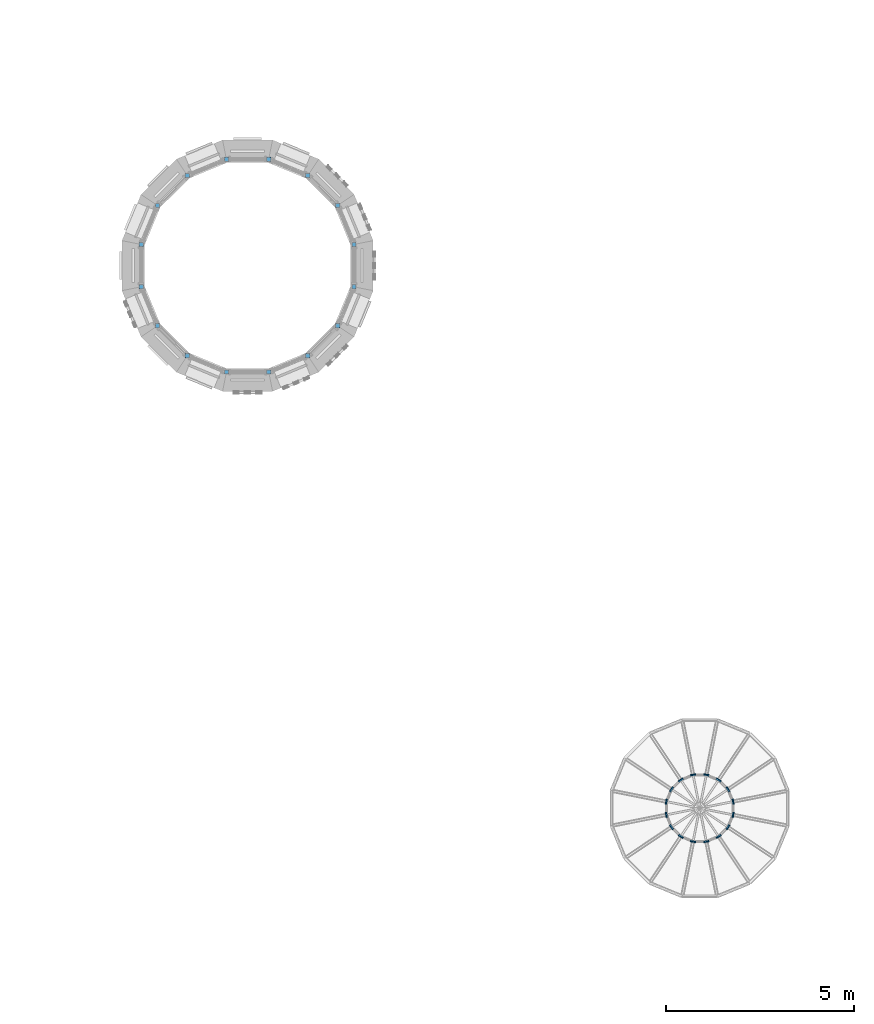
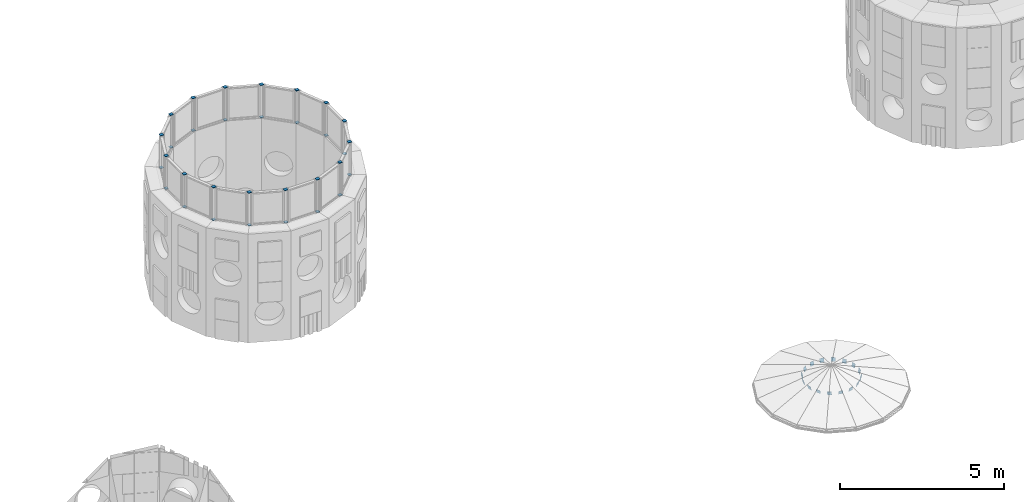
# One storey, part 32 of 42: 48 discrete accessories.
"""IFC4 building model written with IfcOpenShell, lengths in metres."""

import ifcopenshell
import ifcopenshell.guid

model = None  # the IFC model being written
_history = None  # IfcOwnerHistory: only IFC2X3 demands one
_inside = {}  # id of a spatial element -> (the spatial element, [elements in it])
_under = {}  # id of a project, library or spatial element -> (it, [spatial elements below it])
_declared = {}  # id of a project -> (the project, [libraries it declares])
_typed = {}  # id of a type object -> (the type object, [elements of that type])
_made_of = {}  # id of a material, layer set ... -> (it, [elements and type objects made of it])


def new_model(schema):
    """Start an empty IFC model of exactly this schema.

    Asked for "IFC4X3", IfcOpenShell would pick the latest addendum, in which some entities
    have other attributes; the version numbers below select the first issue.
    IFC2X3 requires an IfcOwnerHistory on every rooted entity: one is made here for all.
    """
    global model, _history
    if schema == "IFC4X3":
        model = ifcopenshell.file(schema_version=(4, 3, 0, 0))
    else:
        model = ifcopenshell.file(schema=schema)
    _inside.clear()
    _under.clear()
    _declared.clear()
    _typed.clear()
    _made_of.clear()
    _history = None
    if model.schema == "IFC2X3":
        org = make("IfcOrganization", Name="unknown")
        user = make(
            "IfcPersonAndOrganization",
            ThePerson=make("IfcPerson", FamilyName="unknown"),
            TheOrganization=org,
        )
        app = make(
            "IfcApplication",
            ApplicationDeveloper=org,
            Version="unknown",
            ApplicationFullName="unknown",
            ApplicationIdentifier="unknown",
        )
        _history = make(
            "IfcOwnerHistory",
            OwningUser=user,
            OwningApplication=app,
            ChangeAction="ADDED",
            CreationDate=0,
        )
    return model


def make(cls, **values):
    """One entity of the class cls with the attributes given. An attribute that is None is left unset."""
    return model.create_entity(
        cls, **{name: value for name, value in values.items() if value is not None}
    )


def rooted(cls, **values):
    """An entity with a GlobalId (a new one), such as an element, a storey or a relation."""
    return make(cls, GlobalId=ifcopenshell.guid.new(), OwnerHistory=_history, **values)


def si_unit(unit_type, name, prefix=None):
    """IfcSIUnit, for example si_unit("LENGTHUNIT", "METRE", prefix="MILLI")."""
    return make("IfcSIUnit", UnitType=unit_type, Prefix=prefix, Name=name)


def assignment(units):
    """IfcUnitAssignment: the units of a project."""
    return None if units is None else make("IfcUnitAssignment", Units=units)


def point(xyz):
    """IfcCartesianPoint."""
    return None if xyz is None else make("IfcCartesianPoint", Coordinates=xyz)


def direction(xyz):
    """IfcDirection."""
    return None if xyz is None else make("IfcDirection", DirectionRatios=xyz)


def frame(location, z_axis=None, x_axis=None):
    """IfcAxis2Placement3D, a coordinate frame: its origin and axes. An axis left out is left unset."""
    return make(
        "IfcAxis2Placement3D",
        Location=point(location),
        Axis=direction(z_axis),
        RefDirection=direction(x_axis),
    )


def frame_2d(location, x_axis=None):
    """IfcAxis2Placement2D, a coordinate frame in the plane: its origin and x axis."""
    return make(
        "IfcAxis2Placement2D", Location=point(location), RefDirection=direction(x_axis)
    )


def origin():
    """The frame at (0, 0, 0) with its axes left unset."""
    return frame((0.0, 0.0, 0.0))


def origin_2d():
    """The frame at (0, 0) in the plane with its x axis left unset."""
    return frame_2d((0.0, 0.0))


def place(relative_to, where):
    """IfcLocalPlacement: puts the frame where relative to a parent placement (None: the world)."""
    return make(
        "IfcLocalPlacement", PlacementRelTo=relative_to, RelativePlacement=where
    )


def context(
    kind, dimensions, precision=None, world=None, true_north=None, identifier=None
):
    """IfcGeometricRepresentationContext, for example the 3D "Model" context."""
    return make(
        "IfcGeometricRepresentationContext",
        ContextIdentifier=identifier,
        ContextType=kind,
        CoordinateSpaceDimension=dimensions,
        Precision=precision,
        WorldCoordinateSystem=world,
        TrueNorth=true_north,
    )


def subcontext(parent, identifier, kind, view, scale=None):
    """IfcGeometricRepresentationSubContext, for example "Body" below "Model"."""
    return make(
        "IfcGeometricRepresentationSubContext",
        ContextIdentifier=identifier,
        ContextType=kind,
        ParentContext=parent,
        TargetScale=scale,
        TargetView=view,
    )


def project(units=None, contexts=None):
    """IfcProject with its units and contexts."""
    return rooted(
        "IfcProject",
        Name="project",
        RepresentationContexts=contexts,
        UnitsInContext=assignment(units),
    )


def spatial(cls, under=None, at=None, **own):
    """A site, building, storey or space (cls), placed at a placement, below another one or the project."""
    s = rooted(cls, ObjectPlacement=at, **own)
    if under is not None:
        _under.setdefault(under.id(), (under, []))[1].append(s)
    return s


def profile(cls, at=None, kind="AREA", **sizes):
    """A parametric profile (cls). Its sizes go by their IFC names, for example OverallWidth=200.0."""
    return make(cls, ProfileType=kind, Position=at, **sizes)


def rectangle(**sizes):
    """IfcRectangleProfileDef."""
    return profile("IfcRectangleProfileDef", **sizes)


def extrude(swept, where, along, depth):
    """IfcExtrudedAreaSolid: the profile swept, set in the frame where, extruded along a direction by depth."""
    return make(
        "IfcExtrudedAreaSolid",
        SweptArea=swept,
        Position=where,
        ExtrudedDirection=direction(along),
        Depth=depth,
    )


def shape(context_of_items, identifier, shape_type, items):
    """IfcShapeRepresentation: the items that make up one representation, for example the "Body"."""
    return make(
        "IfcShapeRepresentation",
        ContextOfItems=context_of_items,
        RepresentationIdentifier=identifier,
        RepresentationType=shape_type,
        Items=items,
    )


def material(Name=None, Category=None):
    """IfcMaterial."""
    return make("IfcMaterial", Name=Name, Category=Category)


def material_profile(
    of_material, cross_section, Name=None, Category=None, Priority=None
):
    """IfcMaterialProfile: a cross section and its material."""
    return make(
        "IfcMaterialProfile",
        Name=Name,
        Material=of_material,
        Profile=cross_section,
        Priority=Priority,
        Category=Category,
    )


def profile_set(profiles, Name=None, composite=None):
    """IfcMaterialProfileSet."""
    return make(
        "IfcMaterialProfileSet",
        Name=Name,
        MaterialProfiles=profiles,
        CompositeProfile=composite,
    )


def made_of(thing, what):
    """Note that an element or type object is made of a material, layer set ...; save() writes the relation."""
    if what is not None:
        _made_of.setdefault(what.id(), (what, []))[1].append(thing)
    return thing


def type_object(cls, material=None, **own):
    """A type object (cls), such as IfcWallType, which elements share."""
    return made_of(rooted(cls, **own), material)


def element(
    cls,
    number,
    at=None,
    inside=None,
    cuts=None,
    type_object=None,
    material=None,
    context=None,
    identifier="Body",
    shape_type=None,
    held_by="IfcProductDefinitionShape",
    body=None,
    shapes=None,
    **own,
):
    """One element of the class cls, such as IfcWall. Its Tag is "e" and its number.

    at: its placement. inside: the storey or other place that contains it. cuts: it is an
    opening in that element (IfcRelVoidsElement). A single representation is given by context,
    identifier, shape_type and body (its items); several are given by shapes. held_by: the class
    of the entity that holds the representations. save() writes the other relations.
    """
    e = rooted(cls, Tag="e%d" % number, ObjectPlacement=at, **own)
    if body is not None:
        shapes = [shape(context, identifier, shape_type, body)]
    if shapes is not None:
        e.Representation = make(held_by, Representations=shapes)
    if inside is not None:
        _inside.setdefault(inside.id(), (inside, []))[1].append(e)
    if cuts is not None:
        rooted(
            "IfcRelVoidsElement", RelatingBuildingElement=cuts, RelatedOpeningElement=e
        )
    if type_object is not None:
        _typed.setdefault(type_object.id(), (type_object, []))[1].append(e)
    return made_of(e, material)


def aggregate(whole, parts):
    """IfcRelAggregates: a whole, such as a stair, and the parts it consists of."""
    return rooted("IfcRelAggregates", RelatingObject=whole, RelatedObjects=parts)


def save(model, path):
    """Write the relations noted so far, then the file.

    IfcRelAggregates (storeys below a building ...), IfcRelContainedInSpatialStructure (elements
    in a storey), IfcRelDefinesByType, IfcRelAssociatesMaterial and IfcRelDeclares: one each for
    every whole, place, type object, material and project.
    """
    for whole, parts in _under.values():
        aggregate(whole, parts)
    for where, things in _inside.values():
        rooted(
            "IfcRelContainedInSpatialStructure",
            RelatedElements=things,
            RelatingStructure=where,
        )
    for kind, things in _typed.values():
        rooted("IfcRelDefinesByType", RelatedObjects=things, RelatingType=kind)
    for what, things in _made_of.values():
        rooted("IfcRelAssociatesMaterial", RelatedObjects=things, RelatingMaterial=what)
    for by, libraries in _declared.values():
        rooted("IfcRelDeclares", RelatingContext=by, RelatedDefinitions=libraries)
    model.write(path)


model = new_model("IFC4")

# Units and contexts
model_context = context("Model", 3, precision=1e-05, world=origin(), true_north=direction((0.0, 1.0)))
body_context = subcontext(model_context, "Body", "Model", "MODEL_VIEW")
ifc_project = project(units=[si_unit("LENGTHUNIT", "METRE"), si_unit("AREAUNIT", "SQUARE_METRE"), si_unit("VOLUMEUNIT", "CUBIC_METRE"), si_unit("PLANEANGLEUNIT", "RADIAN"), si_unit("MASSUNIT", "GRAM", prefix="KILO")], contexts=[model_context])

# Site, building, storey
site_placement = place(None, origin())
site = spatial("IfcSite", under=ifc_project, at=site_placement, CompositionType="ELEMENT")
building_placement = place(site_placement, origin())
building = spatial("IfcBuilding", under=site, at=building_placement, Name="Sun Court Science Centre", CompositionType="ELEMENT")
storey_placement = place(building_placement, frame((0.0, 0.0, 20.25)))
storey = spatial("IfcBuildingStorey", under=building, at=storey_placement, Name="L04", CompositionType="ELEMENT", Elevation=20.25)

# Discrete accessories
ifc_material_1 = material(Name="Steel S355", Category="steel")
discrete_accessory_type_1 = type_object("IfcDiscreteAccessoryType", Name="Hollow section end plate 20", PredefinedType="BRACKET", material=ifc_material_1)
for number, where, z_axis, x_axis, name in (
    (1, (20.822998046875, 26.46142578125, 3.72998046875), (0.0, 0.0, 1.0), (1.0, 0.0, 0.0), "Cone 2 clerestory post 1 end plate"),
    (2, (20.822998046875, 26.46142578125, 4.949951171875), (0.0, 0.0, 1.0), (1.0, 0.0, 0.0), "Cone 2 clerestory post 1 end plate"),
    (3, (20.39306640625, 27.4990234375, 3.72998046875), (0.0, 0.0, 1.0), (1.0, 0.0, 0.0), "Cone 2 clerestory post 2 end plate"),
    (4, (20.39306640625, 27.4990234375, 4.949951171875), (0.0, 0.0, 1.0), (1.0, 0.0, 0.0), "Cone 2 clerestory post 2 end plate"),
    (5, (19.59912109375, 28.293212890625, 3.72998046875), (0.0, 0.0, 1.0), (1.0, 0.0, 0.0), "Cone 2 clerestory post 3 end plate"),
    (6, (19.59912109375, 28.293212890625, 4.949951171875), (0.0, 0.0, 1.0), (1.0, 0.0, 0.0), "Cone 2 clerestory post 3 end plate"),
    (7, (18.5615234375, 28.722900390625, 3.72998046875), (0.0, 0.0, 1.0), (1.0, 0.0, 0.0), "Cone 2 clerestory post 4 end plate"),
    (8, (18.5615234375, 28.722900390625, 4.949951171875), (0.0, 0.0, 1.0), (1.0, 0.0, 0.0), "Cone 2 clerestory post 4 end plate"),
    (9, (17.4384765625, 28.722900390625, 3.72998046875), (0.0, 0.0, 1.0), (1.0, 0.0, 0.0), "Cone 2 clerestory post 5 end plate"),
    (10, (17.4384765625, 28.722900390625, 4.949951171875), (0.0, 0.0, 1.0), (1.0, 0.0, 0.0), "Cone 2 clerestory post 5 end plate"),
    (11, (16.40087890625, 28.293212890625, 3.72998046875), (0.0, 0.0, 1.0), (1.0, 0.0, 0.0), "Cone 2 clerestory post 6 end plate"),
    (12, (16.40087890625, 28.293212890625, 4.949951171875), (0.0, 0.0, 1.0), (1.0, 0.0, 0.0), "Cone 2 clerestory post 6 end plate"),
    (13, (15.60693359375, 27.4990234375, 3.72998046875), (0.0, 0.0, 1.0), (1.0, 0.0, 0.0), "Cone 2 clerestory post 7 end plate"),
    (14, (15.60693359375, 27.4990234375, 4.949951171875), (0.0, 0.0, 1.0), (1.0, 0.0, 0.0), "Cone 2 clerestory post 7 end plate"),
    (15, (15.177001953125, 26.46142578125, 3.72998046875), (0.0, 0.0, 1.0), (1.0, 0.0, 0.0), "Cone 2 clerestory post 8 end plate"),
    (16, (15.177001953125, 26.46142578125, 4.949951171875), (0.0, 0.0, 1.0), (1.0, 0.0, 0.0), "Cone 2 clerestory post 8 end plate"),
    (17, (15.177001953125, 25.33837890625, 3.72998046875), (0.0, 0.0, 1.0), (1.0, 0.0, 0.0), "Cone 2 clerestory post 9 end plate"),
    (18, (15.177001953125, 25.33837890625, 4.949951171875), (0.0, 0.0, 1.0), (1.0, 0.0, 0.0), "Cone 2 clerestory post 9 end plate"),
    (19, (15.60693359375, 24.301025390625, 3.72998046875), (0.0, 0.0, 1.0), (1.0, 0.0, 0.0), "Cone 2 clerestory post 10 end plate"),
    (20, (15.60693359375, 24.301025390625, 4.949951171875), (0.0, 0.0, 1.0), (1.0, 0.0, 0.0), "Cone 2 clerestory post 10 end plate"),
    (21, (16.40087890625, 23.5068359375, 3.72998046875), (0.0, 0.0, 1.0), (1.0, 0.0, 0.0), "Cone 2 clerestory post 11 end plate"),
    (22, (16.40087890625, 23.5068359375, 4.949951171875), (0.0, 0.0, 1.0), (1.0, 0.0, 0.0), "Cone 2 clerestory post 11 end plate"),
    (23, (17.4384765625, 23.0771484375, 3.72998046875), (0.0, 0.0, 1.0), (1.0, 0.0, 0.0), "Cone 2 clerestory post 12 end plate"),
    (24, (17.4384765625, 23.0771484375, 4.949951171875), (0.0, 0.0, 1.0), (1.0, 0.0, 0.0), "Cone 2 clerestory post 12 end plate"),
    (25, (18.5615234375, 23.0771484375, 3.72998046875), (0.0, 0.0, 1.0), (1.0, 0.0, 0.0), "Cone 2 clerestory post 13 end plate"),
    (26, (18.5615234375, 23.0771484375, 4.949951171875), (0.0, 0.0, 1.0), (1.0, 0.0, 0.0), "Cone 2 clerestory post 13 end plate"),
    (27, (19.59912109375, 23.5068359375, 3.72998046875), (0.0, 0.0, 1.0), (1.0, 0.0, 0.0), "Cone 2 clerestory post 14 end plate"),
    (28, (19.59912109375, 23.5068359375, 4.949951171875), (0.0, 0.0, 1.0), (1.0, 0.0, 0.0), "Cone 2 clerestory post 14 end plate"),
    (29, (20.39306640625, 24.301025390625, 3.72998046875), (0.0, 0.0, 1.0), (1.0, 0.0, 0.0), "Cone 2 clerestory post 15 end plate"),
    (30, (20.39306640625, 24.301025390625, 4.949951171875), (0.0, 0.0, 1.0), (1.0, 0.0, 0.0), "Cone 2 clerestory post 15 end plate"),
    (31, (20.822998046875, 25.33837890625, 3.72998046875), (0.0, 0.0, 1.0), (1.0, 0.0, 0.0), "Cone 2 clerestory post 16 end plate"),
    (32, (20.822998046875, 25.33837890625, 4.949951171875), (0.0, 0.0, 1.0), (1.0, 0.0, 0.0), "Cone 2 clerestory post 16 end plate"),
):
    element("IfcDiscreteAccessory", number, at=place(storey_placement, frame(where, z_axis=z_axis, x_axis=x_axis)), inside=storey, type_object=discrete_accessory_type_1, Name=name, PredefinedType="BRACKET", context=body_context, shape_type="SweptSolid", body=[
        extrude(rectangle(XDim=0.114013671875, YDim=0.114013671875, at=origin_2d()), origin(), (0.0, 0.0, 1.0), 0.02001953125),
    ])
ifc_material_2 = material(Name="Steel S355", Category="steel")
ifc_material_profile = material_profile(ifc_material_2, rectangle(XDim=0.139892578125, YDim=0.139892578125, at=origin_2d()), Name="PL 140x140")
ifc_profile_set = profile_set([ifc_material_profile], Name="Steel S355")
discrete_accessory_type_2 = type_object("IfcDiscreteAccessoryType", Name="Lantern node plate 140x140x12", PredefinedType="BRACKET", material=ifc_profile_set)
discrete_accessory_1_placement = place(storey_placement, frame((30.888427734375, 11.6767578125, 0.608642578125), z_axis=(-0.947804122987, -0.181494406529, 0.262158587209), x_axis=(0.188072270788, -0.982155191892, 0.0)))
element("IfcDiscreteAccessory", 33, at=discrete_accessory_1_placement, inside=storey, type_object=discrete_accessory_type_2, Name="Lantern node plate 33", PredefinedType="BRACKET", context=body_context, shape_type="SweptSolid", body=[
    extrude(rectangle(XDim=0.139892578125, YDim=0.139892578125, at=origin_2d()), origin(), (0.0, 0.0, 1.0), 0.01220703125),
])
for number, where, z_axis, x_axis, name in (
    (34, (30.753173828125, 12.003173828125, 0.608642578125), (-0.808947914279, -0.525816144281, 0.262908072141), (0.544988350595, -0.838443616301, 0.0), "Lantern node plate 34"),
    (35, (30.503173828125, 12.253173828125, 0.608642578125), (-0.525816144281, -0.808947914279, 0.262908072141), (0.838443616301, -0.544988350595, 0.0), "Lantern node plate 35"),
):
    element("IfcDiscreteAccessory", number, at=place(storey_placement, frame(where, z_axis=z_axis, x_axis=x_axis)), inside=storey, type_object=discrete_accessory_type_2, Name=name, PredefinedType="BRACKET", context=body_context, shape_type="SweptSolid", body=[
        extrude(rectangle(XDim=0.139892578125, YDim=0.139892578125, at=origin_2d()), origin(), (0.0, 0.0, 1.0), 0.011962890625),
    ])
for number, where, z_axis, x_axis, name in (
    (36, (30.1767578125, 12.388427734375, 0.608642578125), (-0.181494406529, -0.947804122987, 0.262158587209), (0.982155191892, -0.188072270788, 0.0), "Lantern node plate 36"),
    (37, (29.8232421875, 12.388427734375, 0.608642578125), (0.181494406529, -0.947804122987, 0.262158587209), (0.982155191892, 0.188072270788, 0.0), "Lantern node plate 37"),
):
    element("IfcDiscreteAccessory", number, at=place(storey_placement, frame(where, z_axis=z_axis, x_axis=x_axis)), inside=storey, type_object=discrete_accessory_type_2, Name=name, PredefinedType="BRACKET", context=body_context, shape_type="SweptSolid", body=[
        extrude(rectangle(XDim=0.139892578125, YDim=0.139892578125, at=origin_2d()), origin(), (0.0, 0.0, 1.0), 0.01220703125),
    ])
for number, where, z_axis, x_axis, name in (
    (38, (29.496826171875, 12.253173828125, 0.608642578125), (0.525816144281, -0.808947914279, 0.262908072141), (0.838443616301, 0.544988350595, 0.0), "Lantern node plate 38"),
    (39, (29.246826171875, 12.003173828125, 0.608642578125), (0.808947914279, -0.525816144281, 0.262908072141), (0.544988350595, 0.838443616301, 0.0), "Lantern node plate 39"),
):
    element("IfcDiscreteAccessory", number, at=place(storey_placement, frame(where, z_axis=z_axis, x_axis=x_axis)), inside=storey, type_object=discrete_accessory_type_2, Name=name, PredefinedType="BRACKET", context=body_context, shape_type="SweptSolid", body=[
        extrude(rectangle(XDim=0.139892578125, YDim=0.139892578125, at=origin_2d()), origin(), (0.0, 0.0, 1.0), 0.011962890625),
    ])
for number, where, z_axis, x_axis, name in (
    (40, (29.111572265625, 11.6767578125, 0.608642578125), (0.947804122987, -0.181494406529, 0.262158587209), (0.188072270788, 0.982155191892, 0.0), "Lantern node plate 40"),
    (41, (29.111572265625, 11.3232421875, 0.608642578125), (0.947804122987, 0.181494406529, 0.262158587209), (-0.188072270788, 0.982155191892, 0.0), "Lantern node plate 41"),
):
    element("IfcDiscreteAccessory", number, at=place(storey_placement, frame(where, z_axis=z_axis, x_axis=x_axis)), inside=storey, type_object=discrete_accessory_type_2, Name=name, PredefinedType="BRACKET", context=body_context, shape_type="SweptSolid", body=[
        extrude(rectangle(XDim=0.139892578125, YDim=0.139892578125, at=origin_2d()), origin(), (0.0, 0.0, 1.0), 0.01220703125),
    ])
for number, where, z_axis, x_axis, name in (
    (42, (29.246826171875, 10.996826171875, 0.608642578125), (0.808947914279, 0.525816144281, 0.262908072141), (-0.544988350595, 0.838443616301, 0.0), "Lantern node plate 42"),
    (43, (29.496826171875, 10.746826171875, 0.608642578125), (0.525816144281, 0.808947914279, 0.262908072141), (-0.838443616301, 0.544988350595, 0.0), "Lantern node plate 43"),
):
    element("IfcDiscreteAccessory", number, at=place(storey_placement, frame(where, z_axis=z_axis, x_axis=x_axis)), inside=storey, type_object=discrete_accessory_type_2, Name=name, PredefinedType="BRACKET", context=body_context, shape_type="SweptSolid", body=[
        extrude(rectangle(XDim=0.139892578125, YDim=0.139892578125, at=origin_2d()), origin(), (0.0, 0.0, 1.0), 0.011962890625),
    ])
for number, where, z_axis, x_axis, name in (
    (44, (29.8232421875, 10.611572265625, 0.608642578125), (0.181494406529, 0.947804122987, 0.262158587209), (-0.982155191892, 0.188072270788, 0.0), "Lantern node plate 44"),
    (45, (30.1767578125, 10.611572265625, 0.608642578125), (-0.181494406529, 0.947804122987, 0.262158587209), (-0.982155191892, -0.188072270788, 0.0), "Lantern node plate 45"),
):
    element("IfcDiscreteAccessory", number, at=place(storey_placement, frame(where, z_axis=z_axis, x_axis=x_axis)), inside=storey, type_object=discrete_accessory_type_2, Name=name, PredefinedType="BRACKET", context=body_context, shape_type="SweptSolid", body=[
        extrude(rectangle(XDim=0.139892578125, YDim=0.139892578125, at=origin_2d()), origin(), (0.0, 0.0, 1.0), 0.01220703125),
    ])
for number, where, z_axis, x_axis, name in (
    (46, (30.503173828125, 10.746826171875, 0.608642578125), (-0.525816144281, 0.808947914279, 0.262908072141), (-0.838443616301, -0.544988350595, 0.0), "Lantern node plate 46"),
    (47, (30.753173828125, 10.996826171875, 0.608642578125), (-0.808947914279, 0.525816144281, 0.262908072141), (-0.544988350595, -0.838443616301, 0.0), "Lantern node plate 47"),
):
    element("IfcDiscreteAccessory", number, at=place(storey_placement, frame(where, z_axis=z_axis, x_axis=x_axis)), inside=storey, type_object=discrete_accessory_type_2, Name=name, PredefinedType="BRACKET", context=body_context, shape_type="SweptSolid", body=[
        extrude(rectangle(XDim=0.139892578125, YDim=0.139892578125, at=origin_2d()), origin(), (0.0, 0.0, 1.0), 0.011962890625),
    ])
discrete_accessory_2_placement = place(storey_placement, frame((30.888427734375, 11.3232421875, 0.608642578125), z_axis=(-0.947804122987, 0.181494406529, 0.262158587209), x_axis=(-0.188072270788, -0.982155191892, 0.0)))
element("IfcDiscreteAccessory", 48, at=discrete_accessory_2_placement, inside=storey, type_object=discrete_accessory_type_2, Name="Lantern node plate 48", PredefinedType="BRACKET", context=body_context, shape_type="SweptSolid", body=[
    extrude(rectangle(XDim=0.139892578125, YDim=0.139892578125, at=origin_2d()), origin(), (0.0, 0.0, 1.0), 0.01220703125),
])

save(model, "model.ifc")
